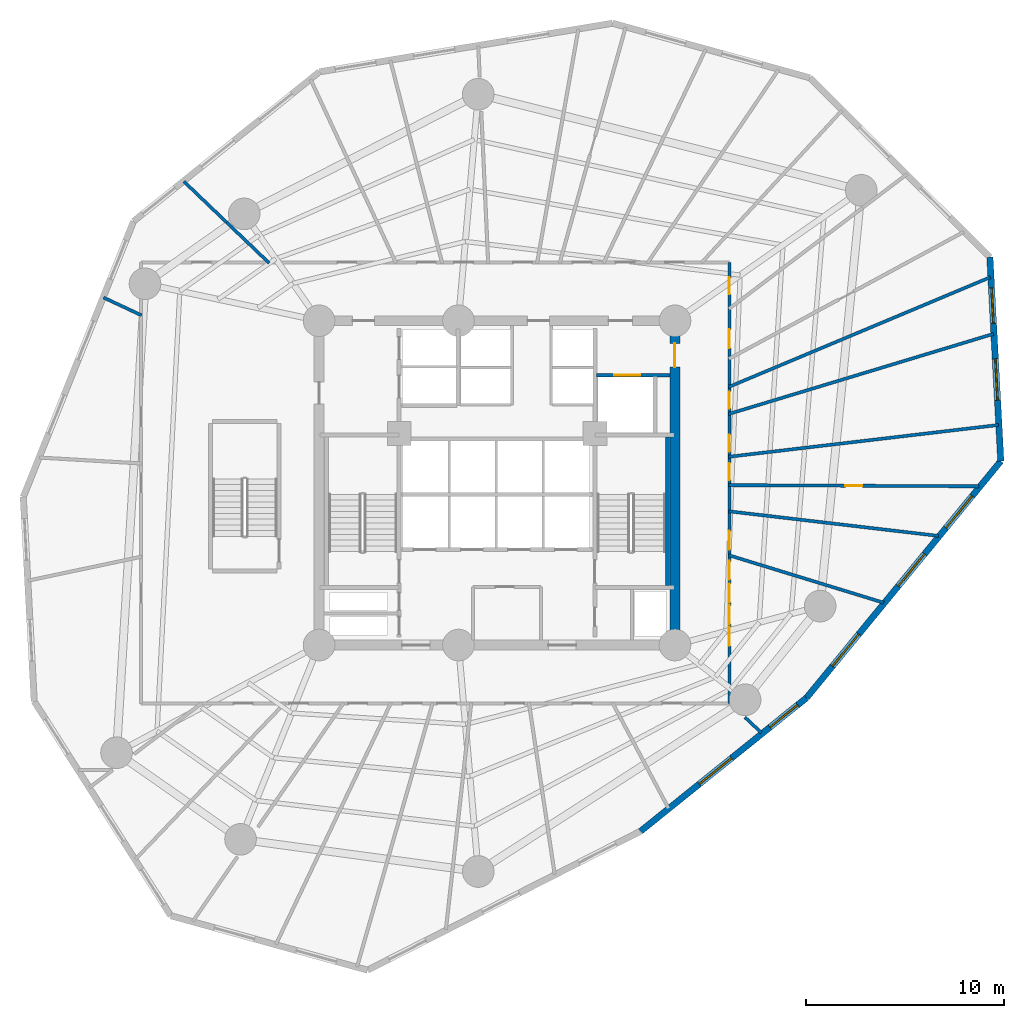
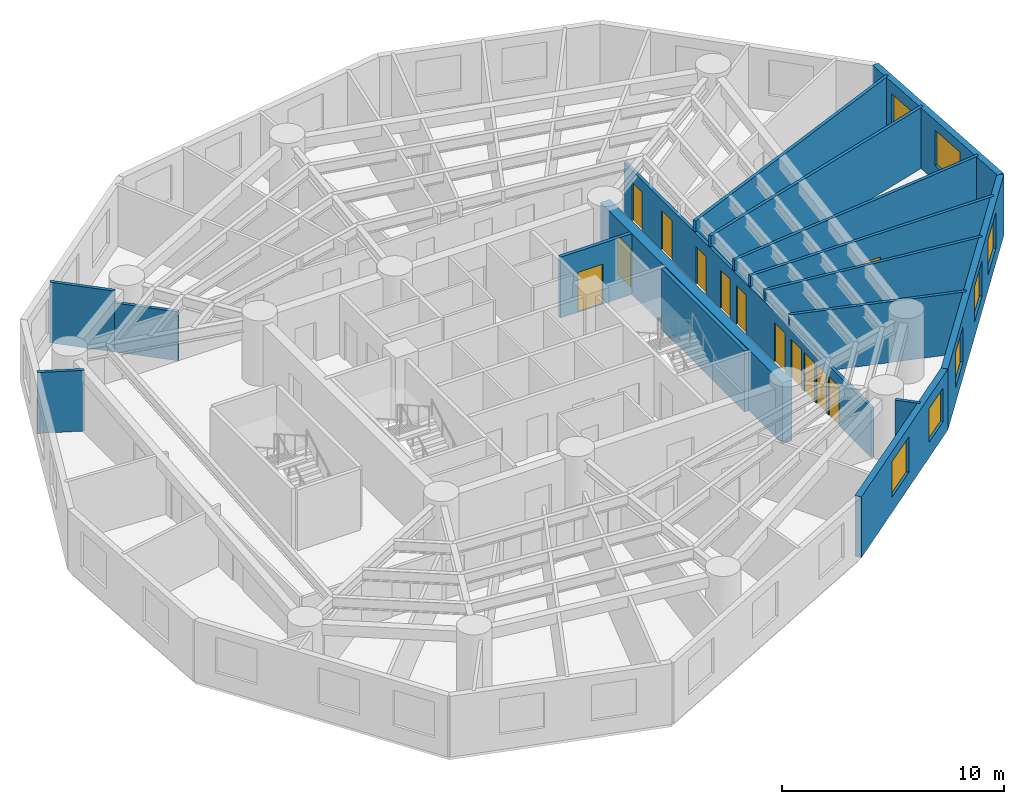
# One storey, part 5 of 8: 17 walls, 13 doors, 7 windows, 20 openings.
"""IFC4 building model written with IfcOpenShell, lengths in metres."""

from ifc_helpers import new_model, si_unit, direction, frame, frame_2d, origin, origin_with_axes, place, context, subcontext, project, spatial, rectangle, extrude, source, transform, mapped, material, layer, layer_set, type_object, element, fill, save


model = new_model("IFC4")

# Units and contexts
model_context = context("Model", 3, precision=1e-05, world=origin(), true_north=direction((0.0, 1.0)))
body_context = subcontext(model_context, "Body", "Model", "MODEL_VIEW")
ifc_project = project(units=[si_unit("LENGTHUNIT", "METRE"), si_unit("AREAUNIT", "SQUARE_METRE"), si_unit("VOLUMEUNIT", "CUBIC_METRE"), si_unit("PLANEANGLEUNIT", "RADIAN"), si_unit("MASSUNIT", "GRAM", prefix="KILO")], contexts=[model_context])

# Site, building, storey
site_placement = place(None, origin())
site = spatial("IfcSite", under=ifc_project, at=site_placement, CompositionType="ELEMENT")
building_placement = place(site_placement, origin())
building = spatial("IfcBuilding", under=site, at=building_placement, Name="Karkom Vertical University and Central Library", CompositionType="ELEMENT")
storey_placement = place(building_placement, frame((0.0, 0.0, 55.300048828125)))
storey = spatial("IfcBuildingStorey", under=building, at=storey_placement, Name="L14", CompositionType="ELEMENT", Elevation=55.300048828125)

# Wall, openings, windows
ifc_material_1 = material(Name="Brick-faced precast concrete C45/55", Category="masonry")
ifc_layer_1 = layer(ifc_material_1, 0.320068359375)
ifc_layer_set_1 = layer_set([ifc_layer_1], Name="Brick-faced precast concrete C45/55")
wall_type_1 = type_object("IfcWallType", Name="ENV-WL-BRK-320", PredefinedType="SOLIDWALL", material=ifc_layer_set_1)
wall_1_placement = place(storey_placement, frame((35.75830078125, 8.877685546875, 0.0), z_axis=(0.0, 0.0, 1.0), x_axis=(0.779333999584, 0.62660874323, 0.0)))
wall_1 = element("IfcWall", 1, at=wall_1_placement, inside=storey, type_object=wall_type_1, Name="Level 14 Brick-Faced Precast Facade Wall 07", PredefinedType="SOLIDWALL", context=body_context, shape_type="SweptSolid", body=[
    extrude(rectangle(XDim=10.77099609375, YDim=0.320068359375, at=frame_2d((5.385498046875, 0.0))), origin(), (0.0, 0.0, 1.0), 3.349853515625),
])
opening_1_placement = place(wall_1_placement, frame((3.814697265625, 0.0, 0.85009765625)))
opening_1 = element("IfcOpeningElement", 2, at=opening_1_placement, cuts=wall_1, Name="Opening WN-03", PredefinedType="OPENING", context=body_context, shape_type="SweptSolid", body=[
    extrude(rectangle(XDim=2.10009765625, YDim=1.949951171875, at=frame_2d((1.050048828125, 0.97509765625))), frame((0.0, 0.169921875, 0.0), z_axis=(0.0, -1.0, 0.0), x_axis=(1.0, 0.0, 0.0)), (0.0, 0.0, 1.0), 0.340087890625),
])
opening_2_placement = place(wall_1_placement, frame((8.3994140625, 0.0, 0.85009765625)))
opening_2 = element("IfcOpeningElement", 3, at=opening_2_placement, cuts=wall_1, Name="Opening WN-04", PredefinedType="OPENING", context=body_context, shape_type="SweptSolid", body=[
    extrude(rectangle(XDim=1.800048828125, YDim=1.85009765625, at=frame_2d((0.89990234375, 0.925048828125))), frame((0.0, 0.169921875, 0.0), z_axis=(0.0, -1.0, 0.0), x_axis=(1.0, 0.0, 0.0)), (0.0, 0.0, 1.0), 0.340087890625),
])
ifc_material_2 = material(Name="Aluminium thermal-break frame with solar-control IGU", Category="aluminium")
window_type_1 = type_object("IfcWindowType", Name="ENV-WIN-WN-03", PartitioningType="SINGLE_PANEL", PredefinedType="WINDOW", material=ifc_material_2)
shared_shape_1 = source(origin_with_axes(), body_context, "Body", "SweptSolid", [
    extrude(rectangle(XDim=2.10009765625, YDim=1.949951171875, at=frame_2d((1.050048828125, 0.97509765625))), frame((0.0, 0.030029296875, 0.0), z_axis=(0.0, -1.0, 0.0), x_axis=(1.0, 0.0, 0.0)), (0.0, 0.0, 1.0), 0.06005859375),
])
window_1_placement = place(opening_1_placement, origin())
window_1 = element("IfcWindow", 4, at=window_1_placement, inside=storey, type_object=window_type_1, Name="Level 14 Punched Window 7.1", OverallHeight=1.949951171875, OverallWidth=2.10009765625, PartitioningType="SINGLE_PANEL", PredefinedType="WINDOW", context=body_context, shape_type="MappedRepresentation", body=[
    mapped(shared_shape_1, transform((0.0, 0.0, 0.0), scale=1.0)),
])
fill(opening_1, window_1)
window_type_2 = type_object("IfcWindowType", Name="ENV-WIN-WN-04", PartitioningType="SINGLE_PANEL", PredefinedType="WINDOW", material=ifc_material_2)
shared_shape_2 = source(origin_with_axes(), body_context, "Body", "SweptSolid", [
    extrude(rectangle(XDim=1.800048828125, YDim=1.85009765625, at=frame_2d((0.89990234375, 0.925048828125))), frame((0.0, 0.030029296875, 0.0), z_axis=(0.0, -1.0, 0.0), x_axis=(1.0, 0.0, 0.0)), (0.0, 0.0, 1.0), 0.06005859375),
])
window_2_placement = place(opening_2_placement, origin())
window_2 = element("IfcWindow", 5, at=window_2_placement, inside=storey, type_object=window_type_2, Name="Level 14 Punched Window 7.2", OverallHeight=1.85009765625, OverallWidth=1.800048828125, PartitioningType="SINGLE_PANEL", PredefinedType="WINDOW", context=body_context, shape_type="MappedRepresentation", body=[
    mapped(shared_shape_2, transform((0.0, 0.0, 0.0), scale=1.0)),
])
fill(opening_2, window_2)

wall_2_placement = place(storey_placement, frame((44.152587890625, 15.626953125, 0.0), z_axis=(0.0, 0.0, 1.0), x_axis=(0.634471173576, 0.772946524606, 0.0)))
wall_2 = element("IfcWall", 6, at=wall_2_placement, inside=storey, type_object=wall_type_1, Name="Level 14 Brick-Faced Precast Facade Wall 08", PredefinedType="SOLIDWALL", context=body_context, shape_type="SweptSolid", body=[
    extrude(rectangle(XDim=15.490234375, YDim=0.320068359375, at=frame_2d((7.7451171875, 0.0))), origin(), (0.0, 0.0, 1.0), 3.349853515625),
])
opening_3_placement = place(wall_2_placement, frame((2.072998046875, 0.0, 0.85009765625)))
opening_3 = element("IfcOpeningElement", 7, at=opening_3_placement, cuts=wall_2, Name="Opening WN-03", PredefinedType="OPENING", context=body_context, shape_type="SweptSolid", body=[
    extrude(rectangle(XDim=2.10009765625, YDim=1.949951171875, at=frame_2d((1.050048828125, 0.97509765625))), frame((0.0, 0.169921875, 0.0), z_axis=(0.0, -1.0, 0.0), x_axis=(1.0, 0.0, 0.0)), (0.0, 0.0, 1.0), 0.340087890625),
])
opening_4_placement = place(wall_2_placement, frame((7.31787109375, 0.0, 0.85009765625)))
opening_4 = element("IfcOpeningElement", 8, at=opening_4_placement, cuts=wall_2, Name="Opening WN-03", PredefinedType="OPENING", context=body_context, shape_type="SweptSolid", body=[
    extrude(rectangle(XDim=2.10009765625, YDim=1.949951171875, at=frame_2d((1.050048828125, 0.97509765625))), frame((0.0, 0.169921875, 0.0), z_axis=(0.0, -1.0, 0.0), x_axis=(1.0, 0.0, 0.0)), (0.0, 0.0, 1.0), 0.340087890625),
])
opening_5_placement = place(wall_2_placement, frame((11.119384765625, 0.0, 0.85009765625)))
opening_5 = element("IfcOpeningElement", 9, at=opening_5_placement, cuts=wall_2, Name="Opening WN-03", PredefinedType="OPENING", context=body_context, shape_type="SweptSolid", body=[
    extrude(rectangle(XDim=2.10009765625, YDim=1.949951171875, at=frame_2d((1.050048828125, 0.97509765625))), frame((0.0, 0.169921875, 0.0), z_axis=(0.0, -1.0, 0.0), x_axis=(1.0, 0.0, 0.0)), (0.0, 0.0, 1.0), 0.340087890625),
])
window_3_placement = place(opening_3_placement, origin())
window_3 = element("IfcWindow", 10, at=window_3_placement, inside=storey, type_object=window_type_1, Name="Level 14 Punched Window 8.1", OverallHeight=1.949951171875, OverallWidth=2.10009765625, PartitioningType="SINGLE_PANEL", PredefinedType="WINDOW", context=body_context, shape_type="MappedRepresentation", body=[
    mapped(shared_shape_1, transform((0.0, 0.0, 0.0), scale=1.0)),
])
fill(opening_3, window_3)
window_4_placement = place(opening_4_placement, origin())
window_4 = element("IfcWindow", 11, at=window_4_placement, inside=storey, type_object=window_type_1, Name="Level 14 Punched Window 8.2", OverallHeight=1.949951171875, OverallWidth=2.10009765625, PartitioningType="SINGLE_PANEL", PredefinedType="WINDOW", context=body_context, shape_type="MappedRepresentation", body=[
    mapped(shared_shape_1, transform((0.0, 0.0, 0.0), scale=1.0)),
])
fill(opening_4, window_4)
window_5_placement = place(opening_5_placement, origin())
window_5 = element("IfcWindow", 12, at=window_5_placement, inside=storey, type_object=window_type_1, Name="Level 14 Punched Window 8.3", OverallHeight=1.949951171875, OverallWidth=2.10009765625, PartitioningType="SINGLE_PANEL", PredefinedType="WINDOW", context=body_context, shape_type="MappedRepresentation", body=[
    mapped(shared_shape_1, transform((0.0, 0.0, 0.0), scale=1.0)),
])
fill(opening_5, window_5)

wall_3_placement = place(storey_placement, frame((53.980712890625, 27.60009765625, 0.0), z_axis=(0.0, 0.0, 1.0), x_axis=(-0.053491775133, 0.9985682901, 0.0)))
wall_3 = element("IfcWall", 13, at=wall_3_placement, inside=storey, type_object=wall_type_1, Name="Level 14 Brick-Faced Precast Facade Wall 09", PredefinedType="SOLIDWALL", context=body_context, shape_type="SweptSolid", body=[
    extrude(rectangle(XDim=10.32861328125, YDim=0.320068359375, at=frame_2d((5.164306640625, 0.0))), origin(), (0.0, 0.0, 1.0), 3.349853515625),
])
opening_6_placement = place(wall_3_placement, frame((3.083740234375, 0.0, 0.85009765625)))
opening_6 = element("IfcOpeningElement", 14, at=opening_6_placement, cuts=wall_3, Name="Opening WN-03", PredefinedType="OPENING", context=body_context, shape_type="SweptSolid", body=[
    extrude(rectangle(XDim=2.10009765625, YDim=1.949951171875, at=frame_2d((1.050048828125, 0.97509765625))), frame((0.0, 0.169921875, 0.0), z_axis=(0.0, -1.0, 0.0), x_axis=(1.0, 0.0, 0.0)), (0.0, 0.0, 1.0), 0.340087890625),
])
opening_7_placement = place(wall_3_placement, frame((6.972900390625, 0.0, 0.85009765625)))
opening_7 = element("IfcOpeningElement", 15, at=opening_7_placement, cuts=wall_3, Name="Opening WN-04", PredefinedType="OPENING", context=body_context, shape_type="SweptSolid", body=[
    extrude(rectangle(XDim=1.800048828125, YDim=1.85009765625, at=frame_2d((0.89990234375, 0.925048828125))), frame((0.0, 0.169921875, 0.0), z_axis=(0.0, -1.0, 0.0), x_axis=(1.0, 0.0, 0.0)), (0.0, 0.0, 1.0), 0.340087890625),
])
window_6_placement = place(opening_6_placement, origin())
window_6 = element("IfcWindow", 16, at=window_6_placement, inside=storey, type_object=window_type_1, Name="Level 14 Punched Window 9.1", OverallHeight=1.949951171875, OverallWidth=2.10009765625, PartitioningType="SINGLE_PANEL", PredefinedType="WINDOW", context=body_context, shape_type="MappedRepresentation", body=[
    mapped(shared_shape_1, transform((0.0, 0.0, 0.0), scale=1.0)),
])
fill(opening_6, window_6)
window_7_placement = place(opening_7_placement, origin())
window_7 = element("IfcWindow", 17, at=window_7_placement, inside=storey, type_object=window_type_2, Name="Level 14 Punched Window 9.2", OverallHeight=1.85009765625, OverallWidth=1.800048828125, PartitioningType="SINGLE_PANEL", PredefinedType="WINDOW", context=body_context, shape_type="MappedRepresentation", body=[
    mapped(shared_shape_2, transform((0.0, 0.0, 0.0), scale=1.0)),
])
fill(opening_7, window_7)

# Wall, openings, doors
ifc_material_3 = material(Name="Insulated metal-stud drywall 160mm", Category="gypsum")
ifc_layer_2 = layer(ifc_material_3, 0.159912109375)
ifc_layer_set_2 = layer_set([ifc_layer_2], Name="Insulated metal-stud drywall 160mm")
wall_type_2 = type_object("IfcWallType", Name="INT-WL-COR-160", PredefinedType="PARTITIONING", material=ifc_layer_set_2)
wall_4_placement = place(storey_placement, frame((40.25, 37.64990234375, 0.0), z_axis=(0.0, 0.0, 1.0), x_axis=(0.0, -1.0, 0.0)))
wall_4 = element("IfcWall", 18, at=wall_4_placement, inside=storey, type_object=wall_type_2, Name="Level 14 Interior Partition Wall L14-CORW-CW-004", PredefinedType="PARTITIONING", context=body_context, shape_type="SweptSolid", body=[
    extrude(rectangle(XDim=22.2998046875, YDim=0.159912109375, at=frame_2d((11.14990234375, 0.0))), origin(), (0.0, 0.0, 1.0), 2.75),
])
opening_8_placement = place(wall_4_placement, frame((16.25, 0.0, 0.0)))
opening_8 = element("IfcOpeningElement", 19, at=opening_8_placement, cuts=wall_4, Name="Opening D-RM1", PredefinedType="OPENING", context=body_context, shape_type="SweptSolid", body=[
    extrude(rectangle(XDim=0.949951171875, YDim=2.14990234375, at=frame_2d((0.47509765625, 1.074951171875))), frame((0.0, 0.08984375, 0.0), z_axis=(0.0, -1.0, 0.0), x_axis=(1.0, 0.0, 0.0)), (0.0, 0.0, 1.0), 0.179931640625),
])
opening_9_placement = place(wall_4_placement, frame((13.580078125, 0.0, 0.0)))
opening_9 = element("IfcOpeningElement", 20, at=opening_9_placement, cuts=wall_4, Name="Opening D-RM1", PredefinedType="OPENING", context=body_context, shape_type="SweptSolid", body=[
    extrude(rectangle(XDim=0.949951171875, YDim=2.14990234375, at=frame_2d((0.47509765625, 1.074951171875))), frame((0.0, 0.08984375, 0.0), z_axis=(0.0, -1.0, 0.0), x_axis=(1.0, 0.0, 0.0)), (0.0, 0.0, 1.0), 0.179931640625),
])
opening_10_placement = place(wall_4_placement, frame((10.1513671875, 0.0, 0.0)))
opening_10 = element("IfcOpeningElement", 21, at=opening_10_placement, cuts=wall_4, Name="Opening D-BATH", PredefinedType="OPENING", context=body_context, shape_type="SweptSolid", body=[
    extrude(rectangle(XDim=0.860107421875, YDim=2.10009765625, at=frame_2d((0.43017578125, 1.050048828125))), frame((0.0, 0.08984375, 0.0), z_axis=(0.0, -1.0, 0.0), x_axis=(1.0, 0.0, 0.0)), (0.0, 0.0, 1.0), 0.179931640625),
])
opening_11_placement = place(wall_4_placement, frame((8.710693359375, 0.0, 0.0)))
opening_11 = element("IfcOpeningElement", 22, at=opening_11_placement, cuts=wall_4, Name="Opening D-BATH", PredefinedType="OPENING", context=body_context, shape_type="SweptSolid", body=[
    extrude(rectangle(XDim=0.860107421875, YDim=2.10009765625, at=frame_2d((0.43017578125, 1.050048828125))), frame((0.0, 0.08984375, 0.0), z_axis=(0.0, -1.0, 0.0), x_axis=(1.0, 0.0, 0.0)), (0.0, 0.0, 1.0), 0.179931640625),
])
opening_12_placement = place(wall_4_placement, frame((3.389892578125, 0.0, 0.0)))
opening_12 = element("IfcOpeningElement", 23, at=opening_12_placement, cuts=wall_4, Name="Opening D-RM1", PredefinedType="OPENING", context=body_context, shape_type="SweptSolid", body=[
    extrude(rectangle(XDim=0.949951171875, YDim=2.14990234375, at=frame_2d((0.47509765625, 1.074951171875))), frame((0.0, 0.08984375, 0.0), z_axis=(0.0, -1.0, 0.0), x_axis=(1.0, 0.0, 0.0)), (0.0, 0.0, 1.0), 0.179931640625),
])
opening_13_placement = place(wall_4_placement, frame((0.75927734375, 0.0, 0.0)))
opening_13 = element("IfcOpeningElement", 24, at=opening_13_placement, cuts=wall_4, Name="Opening D-BATH", PredefinedType="OPENING", context=body_context, shape_type="SweptSolid", body=[
    extrude(rectangle(XDim=0.860107421875, YDim=2.10009765625, at=frame_2d((0.43017578125, 1.050048828125))), frame((0.0, 0.08984375, 0.0), z_axis=(0.0, -1.0, 0.0), x_axis=(1.0, 0.0, 0.0)), (0.0, 0.0, 1.0), 0.179931640625),
])
opening_14_placement = place(wall_4_placement, frame((15.090087890625, 0.0, 0.0)))
opening_14 = element("IfcOpeningElement", 25, at=opening_14_placement, cuts=wall_4, Name="Opening D-RM1", PredefinedType="OPENING", context=body_context, shape_type="SweptSolid", body=[
    extrude(rectangle(XDim=0.949951171875, YDim=2.14990234375, at=frame_2d((0.47509765625, 1.074951171875))), frame((0.0, 0.08984375, 0.0), z_axis=(0.0, -1.0, 0.0), x_axis=(1.0, 0.0, 0.0)), (0.0, 0.0, 1.0), 0.179931640625),
])
opening_15_placement = place(wall_4_placement, frame((17.3447265625, 0.0, 0.0)))
opening_15 = element("IfcOpeningElement", 26, at=opening_15_placement, cuts=wall_4, Name="Opening D-RM1", PredefinedType="OPENING", context=body_context, shape_type="SweptSolid", body=[
    extrude(rectangle(XDim=0.949951171875, YDim=2.14990234375, at=frame_2d((0.47509765625, 1.074951171875))), frame((0.0, 0.08984375, 0.0), z_axis=(0.0, -1.0, 0.0), x_axis=(1.0, 0.0, 0.0)), (0.0, 0.0, 1.0), 0.179931640625),
])
opening_16_placement = place(wall_4_placement, frame((18.436767578125, 0.0, 0.0)))
opening_16 = element("IfcOpeningElement", 27, at=opening_16_placement, cuts=wall_4, Name="Opening D-RM1", PredefinedType="OPENING", context=body_context, shape_type="SweptSolid", body=[
    extrude(rectangle(XDim=0.949951171875, YDim=2.14990234375, at=frame_2d((0.47509765625, 1.074951171875))), frame((0.0, 0.08984375, 0.0), z_axis=(0.0, -1.0, 0.0), x_axis=(1.0, 0.0, 0.0)), (0.0, 0.0, 1.0), 0.179931640625),
])
opening_17_placement = place(wall_4_placement, frame((6.52880859375, 0.0, 0.0)))
opening_17 = element("IfcOpeningElement", 28, at=opening_17_placement, cuts=wall_4, Name="Opening FD-BTH2", PredefinedType="OPENING", context=body_context, shape_type="SweptSolid", body=[
    extrude(rectangle(XDim=0.860107421875, YDim=2.0400390625, at=frame_2d((0.43017578125, 1.02001953125))), frame((0.0, 0.08984375, 0.0), z_axis=(0.0, -1.0, 0.0), x_axis=(1.0, 0.0, 0.0)), (0.0, 0.0, 1.0), 0.179931640625),
])
ifc_material_4 = material(Name="Fire-rated moisture-resistant oak door", Category="wood")
door_type_1 = type_object("IfcDoorType", Name="INT-DR-FBTH2", OperationType="NOTDEFINED", PredefinedType="DOOR", material=ifc_material_4)
shared_shape_3 = source(origin_with_axes(), body_context, "Body", "SweptSolid", [
    extrude(rectangle(XDim=0.860107421875, YDim=2.0400390625, at=frame_2d((0.43017578125, 1.02001953125))), frame((0.0, 0.02490234375, 0.0), z_axis=(0.0, -1.0, 0.0), x_axis=(1.0, 0.0, 0.0)), (0.0, 0.0, 1.0), 0.050048828125),
])
door_1_placement = place(opening_17_placement, origin())
door_1 = element("IfcDoor", 29, at=door_1_placement, inside=storey, type_object=door_type_1, Name="Level 14 Faculty Consultation and Research Office Entry Door", OperationType="SINGLE_SWING_RIGHT", OverallHeight=2.0400390625, OverallWidth=0.860107421875, PredefinedType="DOOR", context=body_context, shape_type="MappedRepresentation", body=[
    mapped(shared_shape_3, transform((0.0, 0.0, 0.0), scale=1.0)),
])
fill(opening_17, door_1)
ifc_material_5 = material(Name="Moisture-resistant oak door", Category="wood")
door_type_2 = type_object("IfcDoorType", Name="INT-DR-BATH", OperationType="NOTDEFINED", PredefinedType="DOOR", material=ifc_material_5)
shared_shape_4 = source(origin_with_axes(), body_context, "Body", "SweptSolid", [
    extrude(rectangle(XDim=0.860107421875, YDim=2.10009765625, at=frame_2d((0.43017578125, 1.050048828125))), frame((0.0, 0.02490234375, 0.0), z_axis=(0.0, -1.0, 0.0), x_axis=(1.0, 0.0, 0.0)), (0.0, 0.0, 1.0), 0.050048828125),
])
door_2_placement = place(opening_10_placement, origin())
door_2 = element("IfcDoor", 30, at=door_2_placement, inside=storey, type_object=door_type_2, Name="Level 14 Room Entry Door 120", OperationType="SINGLE_SWING_RIGHT", OverallHeight=2.10009765625, OverallWidth=0.860107421875, PredefinedType="DOOR", context=body_context, shape_type="MappedRepresentation", body=[
    mapped(shared_shape_4, transform((0.0, 0.0, 0.0), scale=1.0)),
])
fill(opening_10, door_2)
door_3_placement = place(opening_11_placement, origin())
door_3 = element("IfcDoor", 31, at=door_3_placement, inside=storey, type_object=door_type_2, Name="Level 14 Room Entry Door 130", OperationType="SINGLE_SWING_LEFT", OverallHeight=2.10009765625, OverallWidth=0.860107421875, PredefinedType="DOOR", context=body_context, shape_type="MappedRepresentation", body=[
    mapped(shared_shape_4, transform((0.0, 0.0, 0.0), scale=1.0)),
])
fill(opening_11, door_3)
door_4_placement = place(opening_13_placement, origin())
door_4 = element("IfcDoor", 32, at=door_4_placement, inside=storey, type_object=door_type_2, Name="Level 14 Room Entry Door 150", OperationType="SINGLE_SWING_LEFT", OverallHeight=2.10009765625, OverallWidth=0.860107421875, PredefinedType="DOOR", context=body_context, shape_type="MappedRepresentation", body=[
    mapped(shared_shape_4, transform((0.0, 0.0, 0.0), scale=1.0)),
])
fill(opening_13, door_4)
ifc_material_6 = material(Name="Solid-core oak veneer door", Category="wood")
door_type_3 = type_object("IfcDoorType", Name="INT-DR-RM1", OperationType="NOTDEFINED", PredefinedType="DOOR", material=ifc_material_6)
shared_shape_5 = source(origin_with_axes(), body_context, "Body", "SweptSolid", [
    extrude(rectangle(XDim=0.949951171875, YDim=2.14990234375, at=frame_2d((0.47509765625, 1.074951171875))), frame((0.0, 0.02490234375, 0.0), z_axis=(0.0, -1.0, 0.0), x_axis=(1.0, 0.0, 0.0)), (0.0, 0.0, 1.0), 0.050048828125),
])
door_5_placement = place(opening_8_placement, origin())
door_5 = element("IfcDoor", 33, at=door_5_placement, inside=storey, type_object=door_type_3, Name="Level 14 Room Entry Door 100", OperationType="SINGLE_SWING_RIGHT", OverallHeight=2.14990234375, OverallWidth=0.949951171875, PredefinedType="DOOR", context=body_context, shape_type="MappedRepresentation", body=[
    mapped(shared_shape_5, transform((0.0, 0.0, 0.0), scale=1.0)),
])
fill(opening_8, door_5)
door_6_placement = place(opening_9_placement, origin())
door_6 = element("IfcDoor", 34, at=door_6_placement, inside=storey, type_object=door_type_3, Name="Level 14 Room Entry Door 110", OperationType="SINGLE_SWING_LEFT", OverallHeight=2.14990234375, OverallWidth=0.949951171875, PredefinedType="DOOR", context=body_context, shape_type="MappedRepresentation", body=[
    mapped(shared_shape_5, transform((0.0, 0.0, 0.0), scale=1.0)),
])
fill(opening_9, door_6)
door_7_placement = place(opening_12_placement, origin())
door_7 = element("IfcDoor", 35, at=door_7_placement, inside=storey, type_object=door_type_3, Name="Level 14 Room Entry Door 140", OperationType="SINGLE_SWING_RIGHT", OverallHeight=2.14990234375, OverallWidth=0.949951171875, PredefinedType="DOOR", context=body_context, shape_type="MappedRepresentation", body=[
    mapped(shared_shape_5, transform((0.0, 0.0, 0.0), scale=1.0)),
])
fill(opening_12, door_7)
door_8_placement = place(opening_14_placement, origin())
door_8 = element("IfcDoor", 36, at=door_8_placement, inside=storey, type_object=door_type_3, Name="Level 14 Room Entry Door 160", OperationType="SINGLE_SWING_RIGHT", OverallHeight=2.14990234375, OverallWidth=0.949951171875, PredefinedType="DOOR", context=body_context, shape_type="MappedRepresentation", body=[
    mapped(shared_shape_5, transform((0.0, 0.0, 0.0), scale=1.0)),
])
fill(opening_14, door_8)
door_9_placement = place(opening_15_placement, origin())
door_9 = element("IfcDoor", 37, at=door_9_placement, inside=storey, type_object=door_type_3, Name="Level 14 Room Entry Door 170", OperationType="SINGLE_SWING_LEFT", OverallHeight=2.14990234375, OverallWidth=0.949951171875, PredefinedType="DOOR", context=body_context, shape_type="MappedRepresentation", body=[
    mapped(shared_shape_5, transform((0.0, 0.0, 0.0), scale=1.0)),
])
fill(opening_15, door_9)
door_10_placement = place(opening_16_placement, origin())
door_10 = element("IfcDoor", 38, at=door_10_placement, inside=storey, type_object=door_type_3, Name="Level 14 Room Entry Door 180", OperationType="SINGLE_SWING_RIGHT", OverallHeight=2.14990234375, OverallWidth=0.949951171875, PredefinedType="DOOR", context=body_context, shape_type="MappedRepresentation", body=[
    mapped(shared_shape_5, transform((0.0, 0.0, 0.0), scale=1.0)),
])
fill(opening_16, door_10)

# Walls
wall_5_placement = place(storey_placement, frame((40.20849609375, 31.347412109375, 0.0), z_axis=(0.0, 0.0, 1.0), x_axis=(0.922132774038, 0.386873554337, 0.0)))
element("IfcWall", 39, at=wall_5_placement, inside=storey, type_object=wall_type_2, Name="Level 14 Interior Partition Wall L14-PW-020", PredefinedType="PARTITIONING", context=body_context, shape_type="SweptSolid", body=[
    extrude(rectangle(XDim=14.363525390625, YDim=0.159912109375, at=frame_2d((7.181640625, 0.0))), origin(), (0.0, 0.0, 1.0), 3.349853515625),
])
wall_6_placement = place(storey_placement, frame((40.206787109375, 29.98046875, 0.0), z_axis=(0.0, 0.0, 1.0), x_axis=(0.957126698235, 0.289669610982, 0.0)))
element("IfcWall", 40, at=wall_6_placement, inside=storey, type_object=wall_type_2, Name="Level 14 Interior Partition Wall L14-PW-019", PredefinedType="PARTITIONING", context=body_context, shape_type="SweptSolid", body=[
    extrude(rectangle(XDim=14.002685546875, YDim=0.159912109375, at=frame_2d((7.00146484375, 0.0))), origin(), (0.0, 0.0, 1.0), 3.349853515625),
])
wall_7_placement = place(storey_placement, frame((40.205322265625, 27.81884765625, 0.0), z_axis=(0.0, 0.0, 1.0), x_axis=(0.993129615967, 0.117019510723, 0.0)))
element("IfcWall", 41, at=wall_7_placement, inside=storey, type_object=wall_type_2, Name="Level 14 Interior Partition Wall L14-PW-018", PredefinedType="PARTITIONING", context=body_context, shape_type="SweptSolid", body=[
    extrude(rectangle(XDim=13.746826171875, YDim=0.159912109375, at=frame_2d((6.87353515625, 0.0))), origin(), (0.0, 0.0, 1.0), 3.349853515625),
])

# Wall, opening, door
wall_8_placement = place(storey_placement, frame((40.205078125, 26.385986328125, 0.0), z_axis=(0.0, 0.0, 1.0), x_axis=(0.999989323429, -0.004620933778, 0.0)))
wall_8 = element("IfcWall", 42, at=wall_8_placement, inside=storey, type_object=wall_type_2, Name="Level 14 Interior Partition Wall L14-PW-017", PredefinedType="PARTITIONING", context=body_context, shape_type="SweptSolid", body=[
    extrude(rectangle(XDim=12.68017578125, YDim=0.159912109375, at=frame_2d((6.340087890625, 0.0))), origin(), (0.0, 0.0, 1.0), 3.349853515625),
])
opening_18_placement = place(wall_8_placement, frame((5.909912109375, 0.0, 0.0)))
opening_18 = element("IfcOpeningElement", 43, at=opening_18_placement, cuts=wall_8, Name="Opening FD-BTH2", PredefinedType="OPENING", context=body_context, shape_type="SweptSolid", body=[
    extrude(rectangle(XDim=0.860107421875, YDim=2.0400390625, at=frame_2d((0.43017578125, 1.02001953125))), frame((0.0, 0.08984375, 0.0), z_axis=(0.0, -1.0, 0.0), x_axis=(1.0, 0.0, 0.0)), (0.0, 0.0, 1.0), 0.179931640625),
])
door_11_placement = place(opening_18_placement, origin())
door_11 = element("IfcDoor", 44, at=door_11_placement, inside=storey, type_object=door_type_1, Name="Level 14 Faculty Consultation and Research Office Entry Door", OperationType="SINGLE_SWING_LEFT", OverallHeight=2.0400390625, OverallWidth=0.860107421875, PredefinedType="DOOR", context=body_context, shape_type="MappedRepresentation", body=[
    mapped(shared_shape_3, transform((0.0, 0.0, 0.0), scale=1.0)),
])
fill(opening_18, door_11)

# Walls
wall_9_placement = place(storey_placement, frame((40.22021484375, 25.06396484375, 0.0), z_axis=(0.0, 0.0, 1.0), x_axis=(0.993179898744, -0.116591975412, 0.0)))
element("IfcWall", 45, at=wall_9_placement, inside=storey, type_object=wall_type_2, Name="Level 14 Interior Partition Wall L14-PW-016", PredefinedType="PARTITIONING", context=body_context, shape_type="SweptSolid", body=[
    extrude(rectangle(XDim=10.683349609375, YDim=0.159912109375, at=frame_2d((5.341796875, 0.0))), origin(), (0.0, 0.0, 1.0), 3.349853515625),
])
wall_10_placement = place(storey_placement, frame((40.20703125, 22.846923828125, 0.0), z_axis=(0.0, 0.0, 1.0), x_axis=(0.956045213293, -0.293219286779, 0.0)))
element("IfcWall", 46, at=wall_10_placement, inside=storey, type_object=wall_type_2, Name="Level 14 Interior Partition Wall L14-PW-015", PredefinedType="PARTITIONING", context=body_context, shape_type="SweptSolid", body=[
    extrude(rectangle(XDim=8.217041015625, YDim=0.159912109375, at=frame_2d((4.1083984375, 0.0))), origin(), (0.0, 0.0, 1.0), 3.349853515625),
])
wall_11_placement = place(storey_placement, frame((14.833984375, 39.66748046875, 0.0), z_axis=(0.0, 0.0, 1.0), x_axis=(-0.722317497453, 0.691561590079, 0.0)))
element("IfcWall", 47, at=wall_11_placement, inside=storey, type_object=wall_type_2, Name="Level 14 Interior Partition Wall L14-PW-034", PredefinedType="PARTITIONING", context=body_context, shape_type="SweptSolid", body=[
    extrude(rectangle(XDim=3.008544921875, YDim=0.159912109375, at=frame_2d((1.50439453125, 0.0))), origin(), (0.0, 0.0, 1.0), 3.349853515625),
])
wall_12_placement = place(storey_placement, frame((16.9736328125, 37.618896484375, 0.0), z_axis=(0.0, 0.0, 1.0), x_axis=(-0.722274713214, 0.691606274301, 0.0)))
element("IfcWall", 48, at=wall_12_placement, inside=storey, type_object=wall_type_2, Name="Level 14 Interior Partition Wall L14-PW-033", PredefinedType="PARTITIONING", context=body_context, shape_type="SweptSolid", body=[
    extrude(rectangle(XDim=2.96142578125, YDim=0.159912109375, at=frame_2d((1.480712890625, 0.0))), origin(), (0.0, 0.0, 1.0), 2.699951171875),
])
wall_13_placement = place(storey_placement, frame((10.527099609375, 34.972412109375, 0.0), z_axis=(0.0, 0.0, 1.0), x_axis=(-0.90579889289, 0.423707877717, 0.0)))
element("IfcWall", 49, at=wall_13_placement, inside=storey, type_object=wall_type_2, Name="Level 14 Interior Partition Wall L14-PW-035", PredefinedType="PARTITIONING", context=body_context, shape_type="SweptSolid", body=[
    extrude(rectangle(XDim=2.12841796875, YDim=0.159912109375, at=frame_2d((1.064208984375, 0.0))), origin(), (0.0, 0.0, 1.0), 3.349853515625),
])
wall_14_placement = place(storey_placement, frame((41.033935546875, 14.64990234375, 0.0), z_axis=(0.0, 0.0, 1.0), x_axis=(0.729064336352, -0.68444517199, 0.0)))
element("IfcWall", 50, at=wall_14_placement, inside=storey, type_object=wall_type_2, Name="Level 14 Interior Partition Wall L14-PW-014", PredefinedType="PARTITIONING", context=body_context, shape_type="SweptSolid", body=[
    extrude(rectangle(XDim=1.1435546875, YDim=0.159912109375, at=frame_2d((0.57177734375, 0.0))), origin(), (0.0, 0.0, 1.0), 3.349853515625),
])

# Wall, opening, door
ifc_material_7 = material(Name="Twin-stud acoustic drywall 180mm", Category="gypsum")
ifc_layer_3 = layer(ifc_material_7, 0.179931640625)
ifc_layer_set_3 = layer_set([ifc_layer_3], Name="Twin-stud acoustic drywall 180mm")
wall_type_3 = type_object("IfcWallType", Name="INT-WL-TEN-180F", PredefinedType="PARTITIONING", material=ifc_layer_set_3)
wall_15_placement = place(storey_placement, frame((33.534912109375, 31.949951171875, 0.0), z_axis=(0.0, 0.0, 1.0), x_axis=(1.0, 0.0, 0.0)))
wall_15 = element("IfcWall", 51, at=wall_15_placement, inside=storey, type_object=wall_type_3, Name="Level 14 Interior Partition Wall L14-CW-SVL-N", PredefinedType="PARTITIONING", context=body_context, shape_type="SweptSolid", body=[
    extrude(rectangle(XDim=3.708740234375, YDim=0.179931640625, at=frame_2d((1.8544921875, 0.0))), origin(), (0.0, 0.0, 1.0), 3.349853515625),
])
opening_19_placement = place(wall_15_placement, frame((0.89990234375, 0.0, 0.0)))
opening_19 = element("IfcOpeningElement", 52, at=opening_19_placement, cuts=wall_15, Name="Opening LD-SV1", PredefinedType="OPENING", context=body_context, shape_type="SweptSolid", body=[
    extrude(rectangle(XDim=1.300048828125, YDim=2.199951171875, at=frame_2d((0.64990234375, 1.10009765625))), frame((0.0, 0.10009765625, 0.0), z_axis=(0.0, -1.0, 0.0), x_axis=(1.0, 0.0, 0.0)), (0.0, 0.0, 1.0), 0.199951171875),
])
ifc_material_8 = material(Name="Brushed stainless-steel landing door", Category="steel")
door_type_4 = type_object("IfcDoorType", Name="INT-DR-LD-SV1", OperationType="SLIDING_TO_LEFT", PredefinedType="DOOR", material=ifc_material_8)
shared_shape_6 = source(origin_with_axes(), body_context, "Body", "SweptSolid", [
    extrude(rectangle(XDim=1.300048828125, YDim=2.199951171875, at=frame_2d((0.64990234375, 1.10009765625))), frame((0.0, 0.02490234375, 0.0), z_axis=(0.0, -1.0, 0.0), x_axis=(1.0, 0.0, 0.0)), (0.0, 0.0, 1.0), 0.050048828125),
])
door_12_placement = place(opening_19_placement, origin())
door_12 = element("IfcDoor", 53, at=door_12_placement, inside=storey, type_object=door_type_4, Name="Level 14 Service Lift Landing Door LD-SV1", OperationType="SLIDING_TO_LEFT", OverallHeight=2.199951171875, OverallWidth=1.300048828125, PredefinedType="DOOR", context=body_context, shape_type="MappedRepresentation", body=[
    mapped(shared_shape_6, transform((0.0, 0.0, 0.0), scale=1.0)),
])
fill(opening_19, door_12)

ifc_material_9 = material(Name="Concrete C50/60", Category="concrete")
ifc_layer_4 = layer(ifc_material_9, 0.5)
ifc_layer_set_4 = layer_set([ifc_layer_4], Name="Concrete C50/60")
wall_type_4 = type_object("IfcWallType", Name="STR-WL-CW-500", PredefinedType="SHEAR", material=ifc_layer_set_4)
wall_16_placement = place(storey_placement, frame((37.5, 18.300048828125, 0.0), z_axis=(0.0, 0.0, 1.0), x_axis=(0.0, 1.0, 0.0)))
wall_16 = element("IfcWall", 54, at=wall_16_placement, inside=storey, type_object=wall_type_4, Name="Level 14 Central Core Shear Wall EW", PredefinedType="SHEAR", context=body_context, shape_type="SweptSolid", body=[
    extrude(rectangle(XDim=16.39990234375, YDim=0.5, at=frame_2d((8.199951171875, 0.0))), origin(), (0.0, 0.0, 1.0), 3.349853515625),
])
opening_20_placement = place(wall_16_placement, frame((14.06005859375, 0.0, 0.0)))
opening_20 = element("IfcOpeningElement", 55, at=opening_20_placement, cuts=wall_16, Name="Opening FD-SUB1", PredefinedType="OPENING", context=body_context, shape_type="SweptSolid", body=[
    extrude(rectangle(XDim=1.199951171875, YDim=2.14990234375, at=frame_2d((0.60009765625, 1.074951171875))), frame((0.0, 0.260009765625, 0.0), z_axis=(0.0, -1.0, 0.0), x_axis=(1.0, 0.0, 0.0)), (0.0, 0.0, 1.0), 0.52001953125),
])
ifc_material_10 = material(Name="Painted steel fire door", Category="steel")
door_type_5 = type_object("IfcDoorType", Name="INT-DR-SUB1", OperationType="NOTDEFINED", PredefinedType="DOOR", material=ifc_material_10)
shared_shape_7 = source(origin_with_axes(), body_context, "Body", "SweptSolid", [
    extrude(rectangle(XDim=1.199951171875, YDim=2.14990234375, at=frame_2d((0.60009765625, 1.074951171875))), frame((0.0, 0.02490234375, 0.0), z_axis=(0.0, -1.0, 0.0), x_axis=(1.0, 0.0, 0.0)), (0.0, 0.0, 1.0), 0.050048828125),
])
door_13_placement = place(opening_20_placement, origin())
door_13 = element("IfcDoor", 56, at=door_13_placement, inside=storey, type_object=door_type_5, Name="Level 14 East Corridor Service Lobby Door", OperationType="SINGLE_SWING_RIGHT", OverallHeight=2.14990234375, OverallWidth=1.199951171875, PredefinedType="DOOR", context=body_context, shape_type="MappedRepresentation", body=[
    mapped(shared_shape_7, transform((0.0, 0.0, 0.0), scale=1.0)),
])
fill(opening_20, door_13)

# Wall
ifc_material_11 = material(Name="Concrete C45/55", Category="concrete")
ifc_layer_5 = layer(ifc_material_11, 0.199951171875)
ifc_layer_set_5 = layer_set([ifc_layer_5], Name="Concrete C45/55")
wall_type_5 = type_object("IfcWallType", Name="STR-WL-ST-200", PredefinedType="SHEAR", material=ifc_layer_set_5)
wall_17_placement = place(storey_placement, frame((37.125, 21.320068359375, 0.0), z_axis=(0.0, 0.0, 1.0), x_axis=(0.0, 1.0, 0.0)))
element("IfcWall", 57, at=wall_17_placement, inside=storey, type_object=wall_type_5, Name="Level 14 Core Shaft Wall L14-CW-ST2-E", PredefinedType="SHEAR", context=body_context, shape_type="SweptSolid", body=[
    extrude(rectangle(XDim=7.5, YDim=0.199951171875, at=frame_2d((3.75, 0.0))), origin(), (0.0, 0.0, 1.0), 3.349853515625),
])

save(model, "model.ifc")
